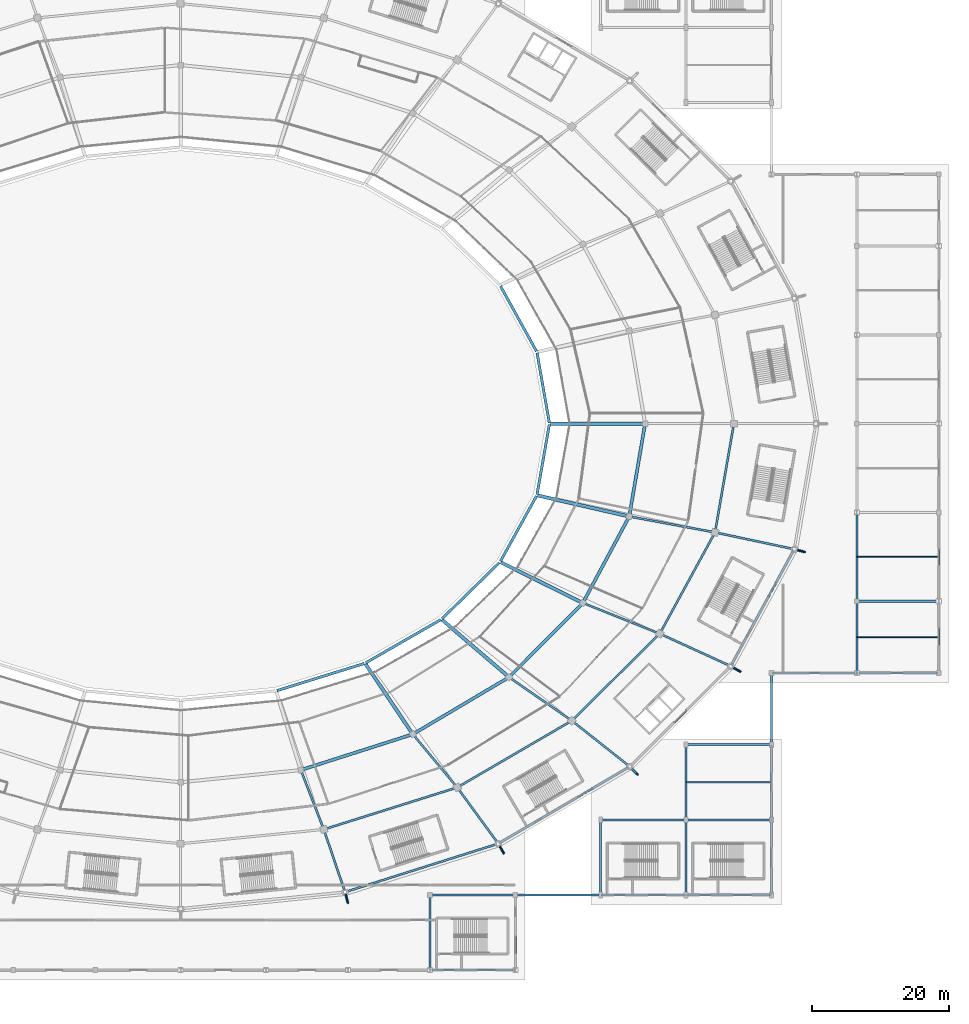
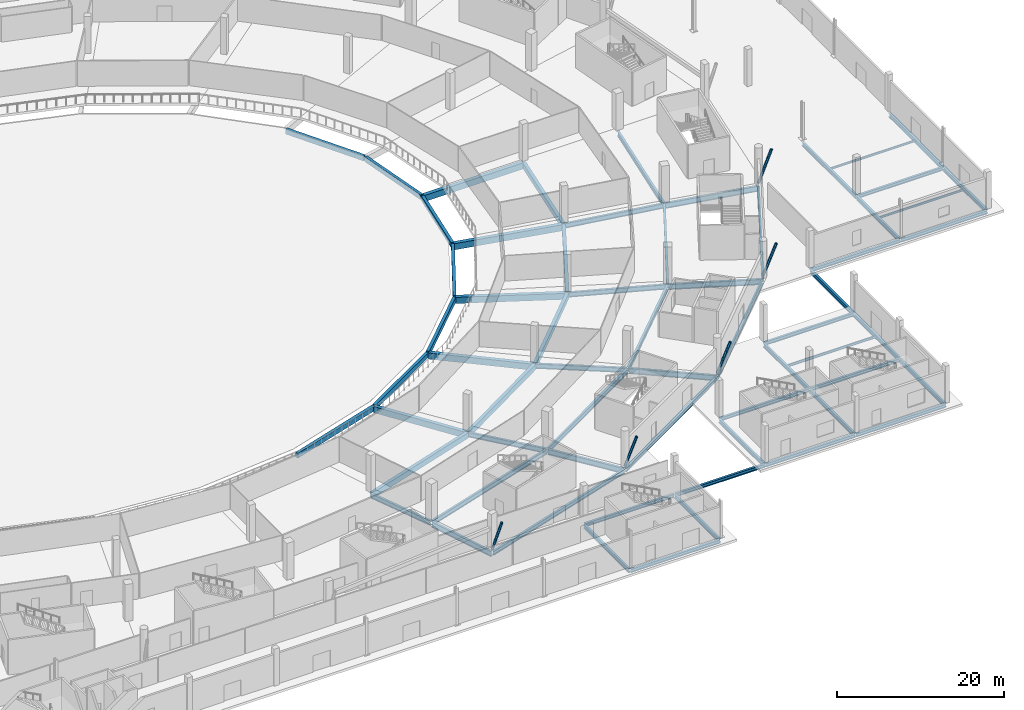
# One storey, part 25 of 82: 62 beams, 5 members.
"""IFC4 building model written with IfcOpenShell, lengths in metres."""

from ifc_helpers import new_model, si_unit, direction, frame, origin, origin_2d, place, context, subcontext, project, spatial, rectangle, hollow_circle, i_section, extrude, material, material_profile, profile_set, type_object, element, save


model = new_model("IFC4")

# Units and contexts
model_context = context("Model", 3, precision=1e-05, world=origin(), true_north=direction((0.0, 1.0)))
body_context = subcontext(model_context, "Body", "Model", "MODEL_VIEW")
ifc_project = project(units=[si_unit("LENGTHUNIT", "METRE"), si_unit("AREAUNIT", "SQUARE_METRE"), si_unit("VOLUMEUNIT", "CUBIC_METRE"), si_unit("PLANEANGLEUNIT", "RADIAN"), si_unit("MASSUNIT", "GRAM", prefix="KILO")], contexts=[model_context])

# Site, building, storey
site_placement = place(None, origin())
site = spatial("IfcSite", under=ifc_project, at=site_placement, CompositionType="ELEMENT")
building_placement = place(site_placement, origin())
building = spatial("IfcBuilding", under=site, at=building_placement, Name="Zlatoyarsky Gate Stadium", CompositionType="ELEMENT")
storey_placement = place(building_placement, origin())
storey = spatial("IfcBuildingStorey", under=building, at=storey_placement, Name="L00", CompositionType="ELEMENT", Elevation=0.0)

# Beams
ifc_material_1 = material(Name="Concrete C40/50", Category="concrete")
ifc_material_profile_1 = material_profile(ifc_material_1, rectangle(XDim=0.39990234375, YDim=0.699951171875, at=origin_2d()), Name="RC BEAM 400X700")
ifc_profile_set_1 = profile_set([ifc_material_profile_1], Name="Concrete C40/50")
beam_type_1 = type_object("IfcBeamType", Name="CONCRETE FLOOR BEAM 400X700", PredefinedType="BEAM", material=ifc_profile_set_1)
beam_1_placement = place(storey_placement, frame((164.979248046875, 80.1181640625, -0.699951171875), z_axis=(-0.172898939935, 0.984939570009, 0.0), x_axis=(-0.984939570009, -0.172898939935, 0.0)))
element("IfcBeam", 1, at=beam_1_placement, inside=storey, type_object=beam_type_1, Name="Beam B-RC70 BM-L00-CR0-00", PredefinedType="BEAM", context=body_context, shape_type="SweptSolid", body=[
    extrude(rectangle(XDim=0.39990234375, YDim=0.699951171875, at=origin_2d()), origin(), (0.0, 0.0, 1.0), 10.402587890625),
])
beam_2_placement = place(storey_placement, frame((163.10205078125, 90.587158203125, -0.699951171875), z_axis=(-0.483446740192, 0.875373776965, 0.0), x_axis=(-0.875373776965, -0.483446740192, 0.0)))
element("IfcBeam", 2, at=beam_2_placement, inside=storey, type_object=beam_type_1, Name="Beam B-RC70 BM-L00-CR0-01", PredefinedType="BEAM", context=body_context, shape_type="SweptSolid", body=[
    extrude(rectangle(XDim=0.39990234375, YDim=0.699951171875, at=origin_2d()), origin(), (0.0, 0.0, 1.0), 10.918701171875),
])
beam_3_placement = place(storey_placement, frame((125.0908203125, 40.91552734375, -0.699951171875), z_axis=(0.954977648824, 0.29667775489, 0.0), x_axis=(-0.29667775489, 0.954977648824, 0.0)))
element("IfcBeam", 3, at=beam_3_placement, inside=storey, type_object=beam_type_1, Name="Beam B-RC70 BM-L00-CR0-19", PredefinedType="BEAM", context=body_context, shape_type="SweptSolid", body=[
    extrude(rectangle(XDim=0.39990234375, YDim=0.699951171875, at=origin_2d()), origin(), (0.0, 0.0, 1.0), 13.39794921875),
])
beam_4_placement = place(storey_placement, frame((138.10400390625, 44.98583984375, -0.699951171875), z_axis=(0.866725255288, 0.498785857704, 0.0), x_axis=(-0.498785857704, 0.866725255288, 0.0)))
element("IfcBeam", 4, at=beam_4_placement, inside=storey, type_object=beam_type_1, Name="Beam B-RC70 BM-L00-CR0-20", PredefinedType="BEAM", context=body_context, shape_type="SweptSolid", body=[
    extrude(rectangle(XDim=0.39990234375, YDim=0.699951171875, at=origin_2d()), origin(), (0.0, 0.0, 1.0), 12.66357421875),
])
beam_5_placement = place(storey_placement, frame((149.26953125, 51.446044921875, -0.699951171875), z_axis=(0.715146635204, 0.698974456011, 0.0), x_axis=(-0.698974456011, 0.715146635204, 0.0)))
element("IfcBeam", 5, at=beam_5_placement, inside=storey, type_object=beam_type_1, Name="Beam B-RC70 BM-L00-CR0-21", PredefinedType="BEAM", context=body_context, shape_type="SweptSolid", body=[
    extrude(rectangle(XDim=0.39990234375, YDim=0.699951171875, at=origin_2d()), origin(), (0.0, 0.0, 1.0), 11.760009765625),
])
beam_6_placement = place(storey_placement, frame((157.823486328125, 59.85498046875, -0.699951171875), z_axis=(0.483446740192, 0.875373776965, 0.0), x_axis=(-0.875373776965, 0.483446740192, 0.0)))
element("IfcBeam", 6, at=beam_6_placement, inside=storey, type_object=beam_type_1, Name="Beam B-RC70 BM-L00-CR0-22", PredefinedType="BEAM", context=body_context, shape_type="SweptSolid", body=[
    extrude(rectangle(XDim=0.39990234375, YDim=0.699951171875, at=origin_2d()), origin(), (0.0, 0.0, 1.0), 10.918701171875),
])
beam_7_placement = place(storey_placement, frame((163.1806640625, 69.635986328125, -0.699951171875), z_axis=(0.172898939935, 0.984939570009, 0.0), x_axis=(-0.984939570009, 0.172898939935, 0.0)))
element("IfcBeam", 7, at=beam_7_placement, inside=storey, type_object=beam_type_1, Name="Beam B-RC70 BM-L00-CR0-23", PredefinedType="BEAM", context=body_context, shape_type="SweptSolid", body=[
    extrude(rectangle(XDim=0.39990234375, YDim=0.699951171875, at=origin_2d()), origin(), (0.0, 0.0, 1.0), 10.402587890625),
])
ifc_material_profile_2 = material_profile(ifc_material_1, rectangle(XDim=0.449951171875, YDim=0.800048828125, at=origin_2d()), Name="RC BEAM 450X800")
ifc_profile_set_2 = profile_set([ifc_material_profile_2], Name="Concrete C40/50")
beam_type_2 = type_object("IfcBeamType", Name="CONCRETE FLOOR BEAM 450X800", PredefinedType="BEAM", material=ifc_profile_set_2)
beam_8_placement = place(storey_placement, frame((128.714111328125, 29.325439453125, -0.75), z_axis=(0.952480396568, 0.304599891914, 0.0), x_axis=(-0.304599891914, 0.952480396568, 0.0)))
element("IfcBeam", 8, at=beam_8_placement, inside=storey, type_object=beam_type_2, Name="Beam B-RC80 BM-L00-CRA-19", PredefinedType="BEAM", context=body_context, shape_type="SweptSolid", body=[
    extrude(rectangle(XDim=0.449951171875, YDim=0.800048828125, at=origin_2d()), origin(), (0.0, 0.0, 1.0), 16.978515625),
])
beam_9_placement = place(storey_placement, frame((145.103271484375, 34.594970703125, -0.75), z_axis=(0.860360371321, 0.50968620882, 0.0), x_axis=(-0.50968620882, 0.860360371321, 0.0)))
element("IfcBeam", 9, at=beam_9_placement, inside=storey, type_object=beam_type_2, Name="Beam B-RC80 BM-L00-CRA-20", PredefinedType="BEAM", context=body_context, shape_type="SweptSolid", body=[
    extrude(rectangle(XDim=0.449951171875, YDim=0.800048828125, at=origin_2d()), origin(), (0.0, 0.0, 1.0), 16.12890625),
])
beam_10_placement = place(storey_placement, frame((159.16796875, 42.9619140625, -0.75), z_axis=(0.704927331607, 0.709279533861, 0.0), x_axis=(-0.709279533861, 0.704927331607, 0.0)))
element("IfcBeam", 10, at=beam_10_placement, inside=storey, type_object=beam_type_2, Name="Beam B-RC80 BM-L00-CRA-21", PredefinedType="BEAM", context=body_context, shape_type="SweptSolid", body=[
    extrude(rectangle(XDim=0.449951171875, YDim=0.800048828125, at=origin_2d()), origin(), (0.0, 0.0, 1.0), 15.08984375),
])
beam_11_placement = place(storey_placement, frame((169.9462890625, 53.855712890625, -0.75), z_axis=(0.472766984781, 0.881187481812, 0.0), x_axis=(-0.881187481812, 0.472766984781, 0.0)))
element("IfcBeam", 11, at=beam_11_placement, inside=storey, type_object=beam_type_2, Name="Beam B-RC80 BM-L00-CRA-22", PredefinedType="BEAM", context=body_context, shape_type="SweptSolid", body=[
    extrude(rectangle(XDim=0.449951171875, YDim=0.800048828125, at=origin_2d()), origin(), (0.0, 0.0, 1.0), 14.12939453125),
])
beam_12_placement = place(storey_placement, frame((176.703125, 66.5302734375, -0.75), z_axis=(0.168089694981, 0.985771705032, 0.0), x_axis=(-0.985771705032, 0.168089694981, 0.0)))
element("IfcBeam", 12, at=beam_12_placement, inside=storey, type_object=beam_type_2, Name="Beam B-RC80 BM-L00-CRA-23", PredefinedType="BEAM", context=body_context, shape_type="SweptSolid", body=[
    extrude(rectangle(XDim=0.449951171875, YDim=0.800048828125, at=origin_2d()), origin(), (0.0, 0.0, 1.0), 13.5439453125),
])
ifc_material_profile_3 = material_profile(ifc_material_1, rectangle(XDim=0.5, YDim=0.89990234375, at=origin_2d()), Name="RC GIRDER 500X900")
ifc_profile_set_3 = profile_set([ifc_material_profile_3], Name="Concrete C40/50")
beam_type_3 = type_object("IfcBeamType", Name="CONCRETE PRIMARY GIRDER 500X900", PredefinedType="T_BEAM", material=ifc_profile_set_3)
beam_13_placement = place(storey_placement, frame((165.1201171875, 80.0, -0.800048828125), z_axis=(1.0, 0.0, 0.0), x_axis=(0.0, 1.0, 0.0)))
element("IfcBeam", 13, at=beam_13_placement, inside=storey, type_object=beam_type_3, Name="Beam G-RC90 BM-L00-R0A-00", PredefinedType="T_BEAM", context=body_context, shape_type="SweptSolid", body=[
    extrude(rectangle(XDim=0.5, YDim=0.89990234375, at=origin_2d()), origin(), (0.0, 0.0, 1.0), 13.759765625),
])
beam_14_placement = place(storey_placement, frame((138.06689453125, 44.826416015625, -0.800048828125), z_axis=(0.558682096313, -0.829381887468, 0.0), x_axis=(0.829381887468, 0.558682096313, 0.0)))
element("IfcBeam", 14, at=beam_14_placement, inside=storey, type_object=beam_type_3, Name="Beam G-RC90 BM-L00-R0A-20", PredefinedType="T_BEAM", context=body_context, shape_type="SweptSolid", body=[
    extrude(rectangle(XDim=0.5, YDim=0.89990234375, at=origin_2d()), origin(), (0.0, 0.0, 1.0), 12.2900390625),
])
beam_15_placement = place(storey_placement, frame((149.27490234375, 51.2841796875, -0.800048828125), z_axis=(0.759256602365, -0.650791373456, 0.0), x_axis=(0.650791373456, 0.759256602365, 0.0)))
element("IfcBeam", 15, at=beam_15_placement, inside=storey, type_object=beam_type_3, Name="Beam G-RC90 BM-L00-R0A-21", PredefinedType="T_BEAM", context=body_context, shape_type="SweptSolid", body=[
    extrude(rectangle(XDim=0.5, YDim=0.89990234375, at=origin_2d()), origin(), (0.0, 0.0, 1.0), 12.79833984375),
])
beam_16_placement = place(storey_placement, frame((157.873046875, 59.69677734375, -0.800048828125), z_axis=(0.896253372987, -0.443542434734, 0.0), x_axis=(0.443542434734, 0.896253372987, 0.0)))
element("IfcBeam", 16, at=beam_16_placement, inside=storey, type_object=beam_type_3, Name="Beam G-RC90 BM-L00-R0A-22", PredefinedType="T_BEAM", context=body_context, shape_type="SweptSolid", body=[
    extrude(rectangle(XDim=0.5, YDim=0.89990234375, at=origin_2d()), origin(), (0.0, 0.0, 1.0), 13.287353515625),
])
beam_17_placement = place(storey_placement, frame((163.277099609375, 69.490966796875, -0.800048828125), z_axis=(0.974626051555, -0.223839361219, 0.0), x_axis=(0.223839361219, 0.974626051555, 0.0)))
element("IfcBeam", 17, at=beam_17_placement, inside=storey, type_object=beam_type_3, Name="Beam G-RC90 BM-L00-R0A-23", PredefinedType="T_BEAM", context=body_context, shape_type="SweptSolid", body=[
    extrude(rectangle(XDim=0.5, YDim=0.89990234375, at=origin_2d()), origin(), (0.0, 0.0, 1.0), 13.634765625),
])

# Members
ifc_material_2 = material(Name="Steel S355", Category="steel")
ifc_material_profile_4 = material_profile(ifc_material_2, hollow_circle(Radius=0.177734375, WallThickness=0.02001953125, at=origin_2d()), Name="CHS 355.6X20")
ifc_profile_set_4 = profile_set([ifc_material_profile_4], Name="Steel S355")
member_type = type_object("IfcMemberType", Name="STEEL LEANING RIB RING STRUT CHS 355.6X20", PredefinedType="STRUT", material=ifc_profile_set_4)
member_1_placement = place(storey_placement, frame((135.0703125, 11.419189453125, 0.0), z_axis=(0.084764257312, -0.31638694049, 0.944835607167), x_axis=(0.965934502333, 0.258786663494, 0.0)))
element("IfcMember", 18, at=member_1_placement, inside=storey, type_object=member_type, Name="Leaning ring strut 19 L00 to L01", PredefinedType="STRUT", context=body_context, shape_type="SweptSolid", body=[
    extrude(hollow_circle(Radius=0.177734375, WallThickness=0.02001953125, at=origin_2d()), origin(), (0.0, 0.0, 1.0), 4.910888671875),
])
member_2_placement = place(storey_placement, frame((157.5, 18.51220703125, 0.0), z_axis=(0.158857473848, -0.275179339945, 0.948177532886), x_axis=(0.866049104564, 0.499958946799, 0.0)))
element("IfcMember", 19, at=member_2_placement, inside=storey, type_object=member_type, Name="Leaning ring strut 20 L00 to L01", PredefinedType="STRUT", context=body_context, shape_type="SweptSolid", body=[
    extrude(hollow_circle(Radius=0.177734375, WallThickness=0.02001953125, at=origin_2d()), origin(), (0.0, 0.0, 1.0), 5.0625),
])
member_3_placement = place(storey_placement, frame((176.760986328125, 29.79541015625, 0.0), z_axis=(0.224639634245, -0.224687860873, 0.948183737417), x_axis=(0.707182671369, 0.707030882858, 0.0)))
element("IfcMember", 20, at=member_3_placement, inside=storey, type_object=member_type, Name="Leaning ring strut 21 L00 to L01", PredefinedType="STRUT", context=body_context, shape_type="SweptSolid", body=[
    extrude(hollow_circle(Radius=0.177734375, WallThickness=0.02001953125, at=origin_2d()), origin(), (0.0, 0.0, 1.0), 5.062255859375),
])
member_4_placement = place(storey_placement, frame((191.540283203125, 44.5, 0.0), z_axis=(0.275179339945, -0.158857473848, 0.948177532886), x_axis=(0.499958946799, 0.866049104564, 0.0)))
element("IfcMember", 21, at=member_4_placement, inside=storey, type_object=member_type, Name="Leaning ring strut 22 L00 to L01", PredefinedType="STRUT", context=body_context, shape_type="SweptSolid", body=[
    extrude(hollow_circle(Radius=0.177734375, WallThickness=0.02001953125, at=origin_2d()), origin(), (0.0, 0.0, 1.0), 5.0625),
])
member_5_placement = place(storey_placement, frame((200.8310546875, 61.623779296875, 0.0), z_axis=(0.31638694049, -0.084764257312, 0.944835607167), x_axis=(0.258786663494, 0.965934502333, 0.0)))
element("IfcMember", 22, at=member_5_placement, inside=storey, type_object=member_type, Name="Leaning ring strut 23 L00 to L01", PredefinedType="STRUT", context=body_context, shape_type="SweptSolid", body=[
    extrude(hollow_circle(Radius=0.177734375, WallThickness=0.02001953125, at=origin_2d()), origin(), (0.0, 0.0, 1.0), 4.910888671875),
])

# Beams
ifc_material_profile_5 = material_profile(ifc_material_2, i_section(OverallWidth=0.300048828125, OverallDepth=0.5, WebThickness=0.014404296875, FlangeThickness=0.028076171875, FilletRadius=0.027099609375, at=origin_2d()), Name="HEB 500")
ifc_profile_set_5 = profile_set([ifc_material_profile_5], Name="Steel S355")
beam_type_4 = type_object("IfcBeamType", Name="STEEL PRIMARY GIRDER HEB 500", PredefinedType="BEAM", material=ifc_profile_set_5)
for number, where, z_axis, x_axis, name in (
    (23, (147.580078125, 0.0, -0.60009765625), (1.0, 0.0, 0.0), (0.0, 1.0, 0.0), "Beam G-HEB500 BM-L00-WGX-13-A"),
    (24, (147.580078125, 11.0, -0.60009765625), (1.0, 0.0, 0.0), (0.0, 1.0, 0.0), "Beam G-HEB500 BM-L00-WGX-13-B"),
    (25, (160.080078125, 11.0, -0.60009765625), (1.0, 0.0, 0.0), (0.0, 1.0, 0.0), "Beam G-HEB500 BM-L00-WGX-14-B"),
    (26, (172.580078125, 11.0, -0.60009765625), (1.0, 0.0, 0.0), (0.0, 1.0, 0.0), "Beam G-HEB500 BM-L00-WGX-15-B"),
    (27, (172.580078125, 22.0, -0.60009765625), (1.0, 0.0, 0.0), (0.0, 1.0, 0.0), "Beam G-HEB500 BM-L00-WGX-15-C"),
    (28, (185.080078125, 11.0, -0.60009765625), (1.0, 0.0, 0.0), (0.0, 1.0, 0.0), "Beam G-HEB500 BM-L00-WGX-16-B"),
    (29, (185.080078125, 22.0, -0.60009765625), (1.0, 0.0, 0.0), (0.0, 1.0, 0.0), "Beam G-HEB500 BM-L00-WGX-16-C"),
    (30, (185.080078125, 33.0, -0.60009765625), (1.0, 0.0, 0.0), (0.0, 1.0, 0.0), "Beam G-HEB500 BM-L00-WGX-16-D"),
    (31, (197.580078125, 43.5, -0.60009765625), (1.0, 0.0, 0.0), (0.0, 1.0, 0.0), "Beam G-HEB500 BM-L00-WGX-17-E"),
):
    element("IfcBeam", number, at=place(storey_placement, frame(where, z_axis=z_axis, x_axis=x_axis)), inside=storey, type_object=beam_type_4, Name=name, PredefinedType="BEAM", context=body_context, shape_type="SweptSolid", body=[
        extrude(i_section(OverallWidth=0.300048828125, OverallDepth=0.5, WebThickness=0.014404296875, FlangeThickness=0.028076171875, FilletRadius=0.027099609375, at=origin_2d()), origin(), (0.0, 0.0, 1.0), 12.33984375),
    ])
for number, where, z_axis, x_axis, name in (
    (32, (210.080078125, 43.5, -0.60009765625), (1.0, 0.0, 0.0), (0.0, 1.0, 0.0), "Beam G-HEB500 BM-L00-WGX-18-E"),
    (33, (210.080078125, 54.0, -0.60009765625), (1.0, 0.0, 0.0), (0.0, 1.0, 0.0), "Beam G-HEB500 BM-L00-WGX-18-F"),
):
    element("IfcBeam", number, at=place(storey_placement, frame(where, z_axis=z_axis, x_axis=x_axis)), inside=storey, type_object=beam_type_4, Name=name, PredefinedType="BEAM", context=body_context, shape_type="SweptSolid", body=[
        extrude(i_section(OverallWidth=0.300048828125, OverallDepth=0.5, WebThickness=0.014404296875, FlangeThickness=0.028076171875, FilletRadius=0.027099609375, at=origin_2d()), origin(), (0.0, 0.0, 1.0), 11.83984375),
    ])
ifc_material_profile_6 = material_profile(ifc_material_2, i_section(OverallWidth=0.300048828125, OverallDepth=0.60009765625, WebThickness=0.015380859375, FlangeThickness=0.030029296875, FilletRadius=0.027099609375, at=origin_2d()), Name="HEB 600")
ifc_profile_set_6 = profile_set([ifc_material_profile_6], Name="Steel S355")
beam_type_5 = type_object("IfcBeamType", Name="STEEL PRIMARY GIRDER HEB 600", PredefinedType="BEAM", material=ifc_profile_set_6)
beam_18_placement = place(storey_placement, frame((135.1845703125, 11.45556640625, -0.64990234375), z_axis=(0.953463107403, 0.301509706015, 0.0), x_axis=(-0.301509706015, 0.953463107403, 0.0)))
element("IfcBeam", 34, at=beam_18_placement, inside=storey, type_object=beam_type_5, Name="Beam G-HEB600 BM-L00-CRC-19", PredefinedType="BEAM", context=body_context, shape_type="SweptSolid", body=[
    extrude(i_section(OverallWidth=0.300048828125, OverallDepth=0.60009765625, WebThickness=0.015380859375, FlangeThickness=0.030029296875, FilletRadius=0.027099609375, at=origin_2d()), origin(), (0.0, 0.0, 1.0), 23.284423828125),
])
beam_19_placement = place(storey_placement, frame((157.603515625, 18.572998046875, -0.64990234375), z_axis=(0.862854775092, 0.505451913738, 0.0), x_axis=(-0.505451913738, 0.862854775092, 0.0)))
element("IfcBeam", 35, at=beam_19_placement, inside=storey, type_object=beam_type_5, Name="Beam G-HEB600 BM-L00-CRC-20", PredefinedType="BEAM", context=body_context, shape_type="SweptSolid", body=[
    extrude(i_section(OverallWidth=0.300048828125, OverallDepth=0.60009765625, WebThickness=0.015380859375, FlangeThickness=0.030029296875, FilletRadius=0.027099609375, at=origin_2d()), origin(), (0.0, 0.0, 1.0), 22.08251953125),
])
beam_20_placement = place(storey_placement, frame((176.845947265625, 29.8798828125, -0.64990234375), z_axis=(0.708899260134, 0.705309746835, 0.0), x_axis=(-0.705309746835, 0.708899260134, 0.0)))
element("IfcBeam", 36, at=beam_20_placement, inside=storey, type_object=beam_type_5, Name="Beam G-HEB600 BM-L00-CRC-21", PredefinedType="BEAM", context=body_context, shape_type="SweptSolid", body=[
    extrude(i_section(OverallWidth=0.300048828125, OverallDepth=0.60009765625, WebThickness=0.015380859375, FlangeThickness=0.030029296875, FilletRadius=0.027099609375, at=origin_2d()), origin(), (0.0, 0.0, 1.0), 20.608642578125),
])
beam_21_placement = place(storey_placement, frame((191.59765625, 44.60546875, -0.64990234375), z_axis=(0.476891650323, 0.878962088973, 0.0), x_axis=(-0.878962088973, 0.476891650323, 0.0)))
element("IfcBeam", 37, at=beam_21_placement, inside=storey, type_object=beam_type_5, Name="Beam G-HEB600 BM-L00-CRC-22", PredefinedType="BEAM", context=body_context, shape_type="SweptSolid", body=[
    extrude(i_section(OverallWidth=0.300048828125, OverallDepth=0.60009765625, WebThickness=0.015380859375, FlangeThickness=0.030029296875, FilletRadius=0.027099609375, at=origin_2d()), origin(), (0.0, 0.0, 1.0), 19.241943359375),
])
for number, where, z_axis, x_axis, name in (
    (38, (147.5, 0.080078125, -0.64990234375), (0.0, 1.0, 0.0), (-1.0, 0.0, 0.0), "Beam G-HEB600 BM-L00-WGY-13-A"),
    (39, (160.0, 0.080078125, -0.64990234375), (0.0, 1.0, 0.0), (-1.0, 0.0, 0.0), "Beam G-HEB600 BM-L00-WGY-14-A"),
    (40, (172.5, 11.080078125, -0.64990234375), (0.0, 1.0, 0.0), (-1.0, 0.0, 0.0), "Beam G-HEB600 BM-L00-WGY-15-B"),
    (41, (185.0, 11.080078125, -0.64990234375), (0.0, 1.0, 0.0), (-1.0, 0.0, 0.0), "Beam G-HEB600 BM-L00-WGY-16-B"),
    (42, (185.0, 22.080078125, -0.64990234375), (0.0, 1.0, 0.0), (-1.0, 0.0, 0.0), "Beam G-HEB600 BM-L00-WGY-16-C"),
    (43, (197.5, 11.080078125, -0.64990234375), (0.0, 1.0, 0.0), (-1.0, 0.0, 0.0), "Beam G-HEB600 BM-L00-WGY-17-B"),
    (44, (197.5, 22.080078125, -0.64990234375), (0.0, 1.0, 0.0), (-1.0, 0.0, 0.0), "Beam G-HEB600 BM-L00-WGY-17-C"),
):
    element("IfcBeam", number, at=place(storey_placement, frame(where, z_axis=z_axis, x_axis=x_axis)), inside=storey, type_object=beam_type_5, Name=name, PredefinedType="BEAM", context=body_context, shape_type="SweptSolid", body=[
        extrude(i_section(OverallWidth=0.300048828125, OverallDepth=0.60009765625, WebThickness=0.015380859375, FlangeThickness=0.030029296875, FilletRadius=0.027099609375, at=origin_2d()), origin(), (0.0, 0.0, 1.0), 10.83984375),
    ])
for number, where, z_axis, x_axis, name in (
    (45, (197.5, 33.080078125, -0.64990234375), (0.0, 1.0, 0.0), (-1.0, 0.0, 0.0), "Beam G-HEB600 BM-L00-WGY-17-D"),
    (46, (210.0, 43.580078125, -0.64990234375), (0.0, 1.0, 0.0), (-1.0, 0.0, 0.0), "Beam G-HEB600 BM-L00-WGY-18-E"),
):
    element("IfcBeam", number, at=place(storey_placement, frame(where, z_axis=z_axis, x_axis=x_axis)), inside=storey, type_object=beam_type_5, Name=name, PredefinedType="BEAM", context=body_context, shape_type="SweptSolid", body=[
        extrude(i_section(OverallWidth=0.300048828125, OverallDepth=0.60009765625, WebThickness=0.015380859375, FlangeThickness=0.030029296875, FilletRadius=0.027099609375, at=origin_2d()), origin(), (0.0, 0.0, 1.0), 10.33984375),
    ])
beam_22_placement = place(storey_placement, frame((210.0, 54.080078125, -0.64990234375), z_axis=(0.0, 1.0, 0.0), x_axis=(-1.0, 0.0, 0.0)))
element("IfcBeam", 47, at=beam_22_placement, inside=storey, type_object=beam_type_5, Name="Beam G-HEB600 BM-L00-WGY-18-F", PredefinedType="BEAM", context=body_context, shape_type="SweptSolid", body=[
    extrude(i_section(OverallWidth=0.300048828125, OverallDepth=0.60009765625, WebThickness=0.015380859375, FlangeThickness=0.030029296875, FilletRadius=0.027099609375, at=origin_2d()), origin(), (0.0, 0.0, 1.0), 12.83984375),
])
beam_23_placement = place(storey_placement, frame((222.0, 43.580078125, -0.64990234375), z_axis=(0.0, 1.0, 0.0), x_axis=(-1.0, 0.0, 0.0)))
element("IfcBeam", 48, at=beam_23_placement, inside=storey, type_object=beam_type_5, Name="Beam G-HEB600 BM-L00-WGY-19-E", PredefinedType="BEAM", context=body_context, shape_type="SweptSolid", body=[
    extrude(i_section(OverallWidth=0.300048828125, OverallDepth=0.60009765625, WebThickness=0.015380859375, FlangeThickness=0.030029296875, FilletRadius=0.027099609375, at=origin_2d()), origin(), (0.0, 0.0, 1.0), 10.33984375),
])
beam_24_placement = place(storey_placement, frame((222.0, 54.080078125, -0.64990234375), z_axis=(0.0, 1.0, 0.0), x_axis=(-1.0, 0.0, 0.0)))
element("IfcBeam", 49, at=beam_24_placement, inside=storey, type_object=beam_type_5, Name="Beam G-HEB600 BM-L00-WGY-19-F", PredefinedType="BEAM", context=body_context, shape_type="SweptSolid", body=[
    extrude(i_section(OverallWidth=0.300048828125, OverallDepth=0.60009765625, WebThickness=0.015380859375, FlangeThickness=0.030029296875, FilletRadius=0.027099609375, at=origin_2d()), origin(), (0.0, 0.0, 1.0), 12.83984375),
])
ifc_material_profile_7 = material_profile(ifc_material_2, i_section(OverallWidth=0.300048828125, OverallDepth=0.699951171875, WebThickness=0.01708984375, FlangeThickness=0.031982421875, FilletRadius=0.027099609375, at=origin_2d()), Name="HEB 700")
ifc_profile_set_7 = profile_set([ifc_material_profile_7], Name="Steel S355")
beam_type_6 = type_object("IfcBeamType", Name="STEEL PRIMARY GIRDER HEB 700", PredefinedType="BEAM", material=ifc_profile_set_7)
beam_25_placement = place(storey_placement, frame((128.64306640625, 29.177001953125, -0.699951171875), z_axis=(0.36092924223, -0.932593202904, 0.0), x_axis=(0.932593202904, 0.36092924223, 0.0)))
element("IfcBeam", 50, at=beam_25_placement, inside=storey, type_object=beam_type_6, Name="Beam G-HEB700 BM-L00-RAB-19", PredefinedType="BEAM", context=body_context, shape_type="SweptSolid", body=[
    extrude(i_section(OverallWidth=0.300048828125, OverallDepth=0.699951171875, WebThickness=0.01708984375, FlangeThickness=0.031982421875, FilletRadius=0.027099609375, at=origin_2d()), origin(), (0.0, 0.0, 1.0), 9.08154296875),
])
beam_26_placement = place(storey_placement, frame((132.078857421875, 20.631591796875, -0.699951171875), z_axis=(0.953937507984, 0.300005384719, 0.0), x_axis=(-0.300005384719, 0.953937507984, 0.0)))
element("IfcBeam", 51, at=beam_26_placement, inside=storey, type_object=beam_type_6, Name="Beam G-HEB700 BM-L00-CRB-19", PredefinedType="BEAM", context=body_context, shape_type="SweptSolid", body=[
    extrude(i_section(OverallWidth=0.300048828125, OverallDepth=0.699951171875, WebThickness=0.01708984375, FlangeThickness=0.031982421875, FilletRadius=0.027099609375, at=origin_2d()), origin(), (0.0, 0.0, 1.0), 20.239013671875),
])
beam_27_placement = place(storey_placement, frame((145.076904296875, 34.44140625, -0.699951171875), z_axis=(0.640460635814, -0.767990998627, 0.0), x_axis=(0.767990998627, 0.640460635814, 0.0)))
element("IfcBeam", 52, at=beam_27_placement, inside=storey, type_object=beam_type_6, Name="Beam G-HEB700 BM-L00-RAB-20", PredefinedType="BEAM", context=body_context, shape_type="SweptSolid", body=[
    extrude(i_section(OverallWidth=0.300048828125, OverallDepth=0.699951171875, WebThickness=0.01708984375, FlangeThickness=0.031982421875, FilletRadius=0.027099609375, at=origin_2d()), origin(), (0.0, 0.0, 1.0), 9.90869140625),
])
beam_28_placement = place(storey_placement, frame((151.603759765625, 26.7998046875, -0.699951171875), z_axis=(0.864054462945, 0.503398336375, 0.0), x_axis=(-0.503398336375, 0.864054462945, 0.0)))
element("IfcBeam", 53, at=beam_28_placement, inside=storey, type_object=beam_type_6, Name="Beam G-HEB700 BM-L00-CRB-20", PredefinedType="BEAM", context=body_context, shape_type="SweptSolid", body=[
    extrude(i_section(OverallWidth=0.300048828125, OverallDepth=0.699951171875, WebThickness=0.01708984375, FlangeThickness=0.031982421875, FilletRadius=0.027099609375, at=origin_2d()), origin(), (0.0, 0.0, 1.0), 19.1748046875),
])
beam_29_placement = place(storey_placement, frame((159.181884765625, 42.80859375, -0.699951171875), z_axis=(0.822196208432, -0.569204176758, 0.0), x_axis=(0.569204176758, 0.822196208432, 0.0)))
element("IfcBeam", 54, at=beam_29_placement, inside=storey, type_object=beam_type_6, Name="Beam G-HEB700 BM-L00-RAB-21", PredefinedType="BEAM", context=body_context, shape_type="SweptSolid", body=[
    extrude(i_section(OverallWidth=0.300048828125, OverallDepth=0.699951171875, WebThickness=0.01708984375, FlangeThickness=0.031982421875, FilletRadius=0.027099609375, at=origin_2d()), origin(), (0.0, 0.0, 1.0), 10.9404296875),
])
beam_30_placement = place(storey_placement, frame((168.36083984375, 36.597412109375, -0.699951171875), z_axis=(0.710840510009, 0.703353232259, 0.0), x_axis=(-0.703353232259, 0.710840510009, 0.0)))
element("IfcBeam", 55, at=beam_30_placement, inside=storey, type_object=beam_type_6, Name="Beam G-HEB700 BM-L00-CRB-21", PredefinedType="BEAM", context=body_context, shape_type="SweptSolid", body=[
    extrude(i_section(OverallWidth=0.300048828125, OverallDepth=0.699951171875, WebThickness=0.01708984375, FlangeThickness=0.031982421875, FilletRadius=0.027099609375, at=origin_2d()), origin(), (0.0, 0.0, 1.0), 17.868896484375),
])
beam_31_placement = place(storey_placement, frame((170.001220703125, 53.70556640625, -0.699951171875), z_axis=(0.928564503985, -0.371171068295, 0.0), x_axis=(0.371171068295, 0.928564503985, 0.0)))
element("IfcBeam", 56, at=beam_31_placement, inside=storey, type_object=beam_type_6, Name="Beam G-HEB700 BM-L00-RAB-22", PredefinedType="BEAM", context=body_context, shape_type="SweptSolid", body=[
    extrude(i_section(OverallWidth=0.300048828125, OverallDepth=0.699951171875, WebThickness=0.01708984375, FlangeThickness=0.031982421875, FilletRadius=0.027099609375, at=origin_2d()), origin(), (0.0, 0.0, 1.0), 11.88427734375),
])
beam_32_placement = place(storey_placement, frame((181.20556640625, 49.355224609375, -0.699951171875), z_axis=(0.478915800408, 0.877860840976, 0.0), x_axis=(-0.877860840976, 0.478915800408, 0.0)))
element("IfcBeam", 57, at=beam_32_placement, inside=storey, type_object=beam_type_6, Name="Beam G-HEB700 BM-L00-CRB-22", PredefinedType="BEAM", context=body_context, shape_type="SweptSolid", body=[
    extrude(i_section(OverallWidth=0.300048828125, OverallDepth=0.699951171875, WebThickness=0.01708984375, FlangeThickness=0.031982421875, FilletRadius=0.027099609375, at=origin_2d()), origin(), (0.0, 0.0, 1.0), 16.656494140625),
])
beam_33_placement = place(storey_placement, frame((176.801025390625, 66.39013671875, -0.699951171875), z_axis=(0.98322524088, -0.182395519946, 0.0), x_axis=(0.182395519946, 0.98322524088, 0.0)))
element("IfcBeam", 58, at=beam_33_placement, inside=storey, type_object=beam_type_6, Name="Beam G-HEB700 BM-L00-RAB-23", PredefinedType="BEAM", context=body_context, shape_type="SweptSolid", body=[
    extrude(i_section(OverallWidth=0.300048828125, OverallDepth=0.699951171875, WebThickness=0.01708984375, FlangeThickness=0.031982421875, FilletRadius=0.027099609375, at=origin_2d()), origin(), (0.0, 0.0, 1.0), 12.53125),
])
beam_34_placement = place(storey_placement, frame((189.260498046875, 64.20068359375, -0.699951171875), z_axis=(0.170843315562, 0.985298209441, 0.0), x_axis=(-0.985298209441, 0.170843315562, 0.0)))
element("IfcBeam", 59, at=beam_34_placement, inside=storey, type_object=beam_type_6, Name="Beam G-HEB700 BM-L00-CRB-23", PredefinedType="BEAM", context=body_context, shape_type="SweptSolid", body=[
    extrude(i_section(OverallWidth=0.300048828125, OverallDepth=0.699951171875, WebThickness=0.01708984375, FlangeThickness=0.031982421875, FilletRadius=0.027099609375, at=origin_2d()), origin(), (0.0, 0.0, 1.0), 15.9150390625),
])
ifc_material_profile_8 = material_profile(ifc_material_2, i_section(OverallWidth=0.300048828125, OverallDepth=0.800048828125, WebThickness=0.017578125, FlangeThickness=0.032958984375, FilletRadius=0.030029296875, at=origin_2d()), Name="HEB 800")
ifc_profile_set_8 = profile_set([ifc_material_profile_8], Name="Steel S355")
beam_type_7 = type_object("IfcBeamType", Name="STEEL PRIMARY GIRDER HEB 800", PredefinedType="BEAM", material=ifc_profile_set_8)
beam_35_placement = place(storey_placement, frame((132.002685546875, 20.48193359375, -0.75), z_axis=(0.320612225581, -0.947210536686, 0.0), x_axis=(0.947210536686, 0.320612225581, 0.0)))
element("IfcBeam", 60, at=beam_35_placement, inside=storey, type_object=beam_type_7, Name="Beam G-HEB800 BM-L00-RBC-19", PredefinedType="BEAM", context=body_context, shape_type="SweptSolid", body=[
    extrude(i_section(OverallWidth=0.300048828125, OverallDepth=0.800048828125, WebThickness=0.017578125, FlangeThickness=0.032958984375, FilletRadius=0.030029296875, at=origin_2d()), origin(), (0.0, 0.0, 1.0), 9.44775390625),
])
beam_36_placement = place(storey_placement, frame((151.57080078125, 26.642333984375, -0.75), z_axis=(0.589228266457, -0.807966614415, 0.0), x_axis=(0.807966614415, 0.589228266457, 0.0)))
element("IfcBeam", 61, at=beam_36_placement, inside=storey, type_object=beam_type_7, Name="Beam G-HEB800 BM-L00-RBC-20", PredefinedType="BEAM", context=body_context, shape_type="SweptSolid", body=[
    extrude(i_section(OverallWidth=0.300048828125, OverallDepth=0.800048828125, WebThickness=0.017578125, FlangeThickness=0.032958984375, FilletRadius=0.030029296875, at=origin_2d()), origin(), (0.0, 0.0, 1.0), 9.9423828125),
])
beam_37_placement = place(storey_placement, frame((168.36962890625, 36.4384765625, -0.75), z_axis=(0.78404348542, -0.620705898933, 0.0), x_axis=(0.620705898933, 0.78404348542, 0.0)))
element("IfcBeam", 62, at=beam_37_placement, inside=storey, type_object=beam_type_7, Name="Beam G-HEB800 BM-L00-RBC-21", PredefinedType="BEAM", context=body_context, shape_type="SweptSolid", body=[
    extrude(i_section(OverallWidth=0.300048828125, OverallDepth=0.800048828125, WebThickness=0.017578125, FlangeThickness=0.032958984375, FilletRadius=0.030029296875, at=origin_2d()), origin(), (0.0, 0.0, 1.0), 10.58251953125),
])
beam_38_placement = place(storey_placement, frame((181.257080078125, 49.2001953125, -0.75), z_axis=(0.909498994842, -0.415706120213, 0.0), x_axis=(0.415706120213, 0.909498994842, 0.0)))
element("IfcBeam", 63, at=beam_38_placement, inside=storey, type_object=beam_type_7, Name="Beam G-HEB800 BM-L00-RBC-22", PredefinedType="BEAM", context=body_context, shape_type="SweptSolid", body=[
    extrude(i_section(OverallWidth=0.300048828125, OverallDepth=0.800048828125, WebThickness=0.017578125, FlangeThickness=0.032958984375, FilletRadius=0.030029296875, at=origin_2d()), origin(), (0.0, 0.0, 1.0), 11.186767578125),
])
beam_39_placement = place(storey_placement, frame((189.357421875, 64.0576171875, -0.75), z_axis=(0.978233348926, -0.207507867438, 0.0), x_axis=(0.207507867438, 0.978233348926, 0.0)))
element("IfcBeam", 64, at=beam_39_placement, inside=storey, type_object=beam_type_7, Name="Beam G-HEB800 BM-L00-RBC-23", PredefinedType="BEAM", context=body_context, shape_type="SweptSolid", body=[
    extrude(i_section(OverallWidth=0.300048828125, OverallDepth=0.800048828125, WebThickness=0.017578125, FlangeThickness=0.032958984375, FilletRadius=0.030029296875, at=origin_2d()), origin(), (0.0, 0.0, 1.0), 11.60888671875),
])
ifc_material_profile_9 = material_profile(ifc_material_2, i_section(OverallWidth=0.14990234375, OverallDepth=0.300048828125, WebThickness=0.007080078125, FlangeThickness=0.0107421875, FilletRadius=0.014892578125, at=origin_2d()), Name="IPE 300")
ifc_profile_set_9 = profile_set([ifc_material_profile_9], Name="Steel S355")
beam_type_8 = type_object("IfcBeamType", Name="STEEL SECONDARY JOIST IPE 300", PredefinedType="JOIST", material=ifc_profile_set_9)
for number, where, z_axis, x_axis, name in (
    (65, (210.090087890625, 48.75, -0.5), (1.0, 0.0, 0.0), (0.0, 1.0, 0.0), "Beam J-IPE300 JST-L00-18-E"),
    (66, (210.090087890625, 60.5, -0.5), (1.0, 0.0, 0.0), (0.0, 1.0, 0.0), "Beam J-IPE300 JST-L00-18-F"),
):
    element("IfcBeam", number, at=place(storey_placement, frame(where, z_axis=z_axis, x_axis=x_axis)), inside=storey, type_object=beam_type_8, Name=name, PredefinedType="JOIST", context=body_context, shape_type="SweptSolid", body=[
        extrude(i_section(OverallWidth=0.14990234375, OverallDepth=0.300048828125, WebThickness=0.007080078125, FlangeThickness=0.0107421875, FilletRadius=0.014892578125, at=origin_2d()), origin(), (0.0, 0.0, 1.0), 11.81982421875),
    ])
ifc_material_profile_10 = material_profile(ifc_material_2, i_section(OverallWidth=0.169921875, OverallDepth=0.360107421875, WebThickness=0.008056640625, FlangeThickness=0.0126953125, FilletRadius=0.01806640625, at=origin_2d()), Name="IPE 360")
ifc_profile_set_10 = profile_set([ifc_material_profile_10], Name="Steel S355")
beam_type_9 = type_object("IfcBeamType", Name="STEEL SECONDARY JOIST IPE 360", PredefinedType="JOIST", material=ifc_profile_set_10)
beam_40_placement = place(storey_placement, frame((185.090087890625, 27.5, -0.530029296875), z_axis=(1.0, 0.0, 0.0), x_axis=(0.0, 1.0, 0.0)))
element("IfcBeam", 67, at=beam_40_placement, inside=storey, type_object=beam_type_9, Name="Beam J-IPE360 JST-L00-16-C", PredefinedType="JOIST", context=body_context, shape_type="SweptSolid", body=[
    extrude(i_section(OverallWidth=0.169921875, OverallDepth=0.360107421875, WebThickness=0.008056640625, FlangeThickness=0.0126953125, FilletRadius=0.01806640625, at=origin_2d()), origin(), (0.0, 0.0, 1.0), 12.31982421875),
])

save(model, "model.ifc")
